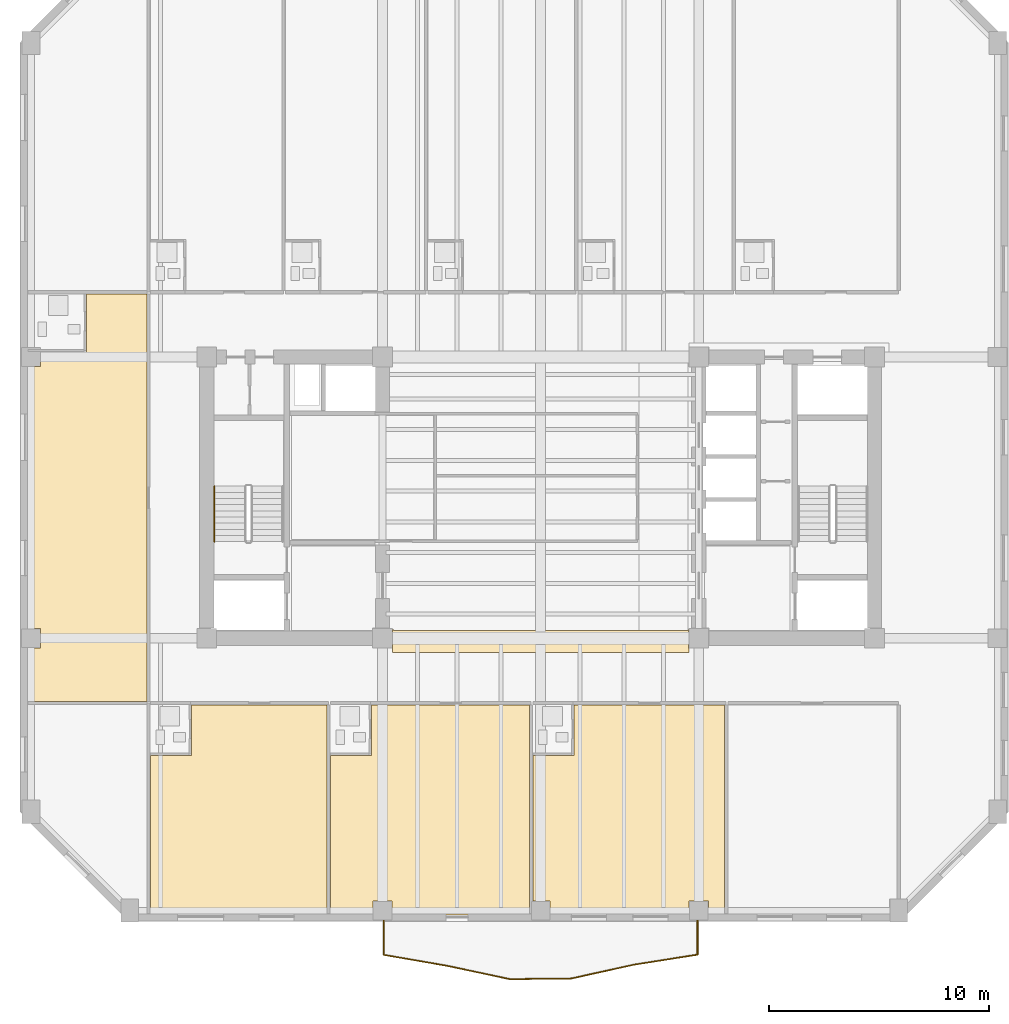
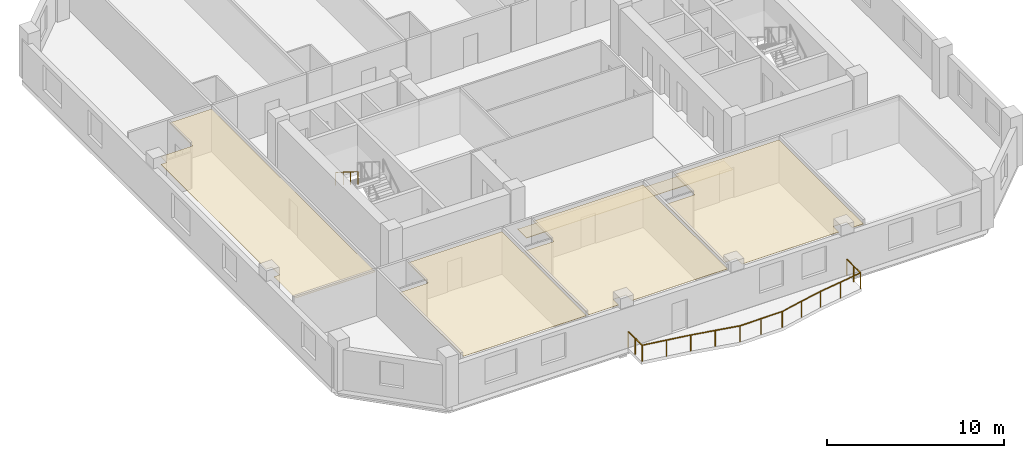
# One storey, part 7 of 10: 5 coverings, 2 railings.
"""IFC4 building model written with IfcOpenShell, lengths in metres."""

from ifc_helpers import new_model, si_unit, direction, frame, origin, origin_2d, place, context, subcontext, project, spatial, polyline, circle, outline, extrude, material, layer, layer_set, type_object, element, save


model = new_model("IFC4")

# Units and contexts
model_context = context("Model", 3, precision=1e-05, world=origin(), true_north=direction((0.0, 1.0)))
body_context = subcontext(model_context, "Body", "Model", "MODEL_VIEW")
ifc_project = project(units=[si_unit("LENGTHUNIT", "METRE"), si_unit("AREAUNIT", "SQUARE_METRE"), si_unit("VOLUMEUNIT", "CUBIC_METRE"), si_unit("PLANEANGLEUNIT", "RADIAN"), si_unit("MASSUNIT", "GRAM", prefix="KILO")], contexts=[model_context])

# Site, building, storey
site_placement = place(None, origin())
site = spatial("IfcSite", under=ifc_project, at=site_placement, CompositionType="ELEMENT")
building_placement = place(site_placement, origin())
building = spatial("IfcBuilding", under=site, at=building_placement, Name="Kranthara Brick Stack", CompositionType="ELEMENT")
storey_placement = place(building_placement, frame((0.0, 0.0, 186.800048828125)))
storey = spatial("IfcBuildingStorey", under=building, at=storey_placement, Name="L48", CompositionType="ELEMENT", Elevation=186.800048828125)

# Coverings
ifc_material_1 = material(Name="Perforated mineral-fibre acoustic ceiling tile", Category="other")
ifc_layer_1 = layer(ifc_material_1, 0.02490234375)
ifc_layer_set_1 = layer_set([ifc_layer_1], Name="Perforated mineral-fibre acoustic ceiling tile")
covering_type_1 = type_object("IfcCoveringType", Name="COV-CEIL-ACOUSTIC", PredefinedType="CEILING", material=ifc_layer_set_1)
covering_1_placement = place(storey_placement, frame((0.0, 0.0, 2.929931640625)))
element("IfcCovering", 1, at=covering_1_placement, inside=storey, type_object=covering_type_1, Name="L48 Room L48-01 Corner Junior Suite Acoustic Ceiling", PredefinedType="CEILING", context=body_context, shape_type="SweptSolid", body=[
    extrude(outline(polyline([(10.22998046875, 8.199951171875), (18.26611328125, 8.199951171875), (18.26611328125, 17.77001953125), (12.110107421875, 17.77001953125), (12.110107421875, 15.4599609375), (10.22998046875, 15.4599609375), (10.22998046875, 8.199951171875)])), origin(), (0.0, 0.0, 1.0), 0.02490234375),
])
covering_2_placement = place(storey_placement, frame((0.0, 0.0, 2.929931640625)))
element("IfcCovering", 2, at=covering_2_placement, inside=storey, type_object=covering_type_1, Name="L48 Room L48-02 Corner Junior Suite Acoustic Ceiling", PredefinedType="CEILING", context=body_context, shape_type="SweptSolid", body=[
    extrude(outline(polyline([(18.426025390625, 8.199951171875), (18.426025390625, 15.4599609375), (20.305908203125, 15.4599609375), (20.305908203125, 17.77001953125), (27.486083984375, 17.77001953125), (27.486083984375, 8.199951171875), (21.235107421875, 8.199951171875), (21.235107421875, 8.8349609375), (20.364990234375, 8.8349609375), (20.364990234375, 8.199951171875), (18.426025390625, 8.199951171875)])), origin(), (0.0, 0.0, 1.0), 0.02490234375),
])
covering_3_placement = place(storey_placement, frame((0.0, 0.0, 2.929931640625)))
element("IfcCovering", 3, at=covering_3_placement, inside=storey, type_object=covering_type_1, Name="L48 Room L48-03 Corner Junior Suite Acoustic Ceiling", PredefinedType="CEILING", context=body_context, shape_type="SweptSolid", body=[
    extrude(outline(polyline([(29.52587890625, 15.4599609375), (29.52587890625, 17.77001953125), (36.365966796875, 17.77001953125), (36.365966796875, 8.199951171875), (35.635009765625, 8.199951171875), (35.635009765625, 8.8349609375), (34.764892578125, 8.8349609375), (34.764892578125, 8.199951171875), (28.43505859375, 8.199951171875), (28.43505859375, 8.8349609375), (27.64599609375, 8.8349609375), (27.64599609375, 15.4599609375), (29.52587890625, 15.4599609375)])), origin(), (0.0, 0.0, 1.0), 0.02490234375),
])
covering_4_placement = place(storey_placement, frame((0.0, 0.0, 2.929931640625)))
element("IfcCovering", 4, at=covering_4_placement, inside=storey, type_object=covering_type_1, Name="L48 Room L48-10 Corner Junior Suite Acoustic Ceiling", PredefinedType="CEILING", context=body_context, shape_type="SweptSolid", body=[
    extrude(outline(polyline([(7.330078125, 33.840087890625), (7.330078125, 36.469970703125), (10.080078125, 36.469970703125), (10.080078125, 17.929931640625), (4.8701171875, 17.929931640625), (4.8701171875, 20.364990234375), (5.235107421875, 20.364990234375), (5.235107421875, 21.235107421875), (4.8701171875, 21.235107421875), (4.8701171875, 33.1650390625), (5.235107421875, 33.1650390625), (5.235107421875, 33.840087890625), (7.330078125, 33.840087890625)])), origin(), (0.0, 0.0, 1.0), 0.02490234375),
])
ifc_material_2 = material(Name="Honed terrazzo and porcelain floor finish", Category="stone")
ifc_layer_2 = layer(ifc_material_2, 0.030029296875)
ifc_layer_set_2 = layer_set([ifc_layer_2], Name="Honed terrazzo and porcelain floor finish")
covering_type_2 = type_object("IfcCoveringType", Name="COV-FLOR-STONE", PredefinedType="FLOORING", material=ifc_layer_set_2)
covering_5_placement = place(storey_placement, origin())
element("IfcCovering", 5, at=covering_5_placement, inside=storey, type_object=covering_type_2, Name="L48 Lift Lobby Stone Flooring", PredefinedType="FLOORING", context=body_context, shape_type="SweptSolid", body=[
    extrude(outline(polyline([(21.25, 20.340087890625), (21.260009765625, 20.340087890625), (21.260009765625, 21.199951171875), (21.300048828125, 21.199951171875), (21.300048828125, 21.14990234375), (32.47998046875, 21.14990234375), (34.699951171875, 21.14990234375), (34.699951171875, 21.199951171875), (34.739990234375, 21.199951171875), (34.739990234375, 20.340087890625), (34.75, 20.340087890625), (34.75, 20.14990234375), (21.25, 20.14990234375), (21.25, 20.340087890625)])), origin(), (0.0, 0.0, 1.0), 0.030029296875),
])

# Railings
ifc_material_3 = material(Name="Bronze anodised aluminium and laminated glass balustrade", Category="aluminium")
railing_type_1 = type_object("IfcRailingType", Name="RL-BALC-1120", PredefinedType="BALUSTRADE", material=ifc_material_3)
railing_1_placement = place(storey_placement, frame((35.139892578125, 7.9599609375, 0.0)))
element("IfcRailing", 6, at=railing_1_placement, inside=storey, type_object=railing_type_1, Name="L48 South Rippling Balcony Balustrade", PredefinedType="BALUSTRADE", context=body_context, shape_type="SweptSolid", body=[
    extrude(circle(Radius=0.02392578125, at=origin_2d()), frame((0.0, 0.0, 1.09619140625), z_axis=(0.0, -1.0, 0.0), x_axis=(1.0, 0.0, 0.0)), (0.0, 0.0, 1.0), 1.564697265625),
    extrude(circle(Radius=0.02392578125, at=origin_2d()), frame((0.0, -1.564697265625, 1.09619140625), z_axis=(-0.987780613501, -0.155850760638, 0.0), x_axis=(0.155850760638, -0.987780613501, 0.0)), (0.0, 0.0, 1.0), 2.915283203125),
    extrude(circle(Radius=0.02392578125, at=origin_2d()), frame((-2.879638671875, -2.01904296875, 1.09619140625), z_axis=(-0.976636790391, -0.214896672043, 0.0), x_axis=(0.214896672043, -0.976636790391, 0.0)), (0.0, 0.0, 1.0), 2.936767578125),
    extrude(circle(Radius=0.02392578125, at=origin_2d()), frame((-5.747802734375, -2.650146484375, 1.09619140625), z_axis=(-0.999939953987, -0.010958486257, 0.0), x_axis=(0.010958486257, -0.999939953987, 0.0)), (0.0, 0.0, 1.0), 2.784912109375),
    extrude(circle(Radius=0.02392578125, at=origin_2d()), frame((-8.532470703125, -2.6806640625, 1.09619140625), z_axis=(-0.978213631251, 0.207600798732, 0.0), x_axis=(-0.207600798732, -0.978213631251, 0.0)), (0.0, 0.0, 1.0), 2.931884765625),
    extrude(circle(Radius=0.02392578125, at=origin_2d()), frame((-11.400390625, -2.072021484375, 1.09619140625), z_axis=(-0.985354285481, 0.170519594427, 0.0), x_axis=(-0.170519594427, -0.985354285481, 0.0)), (0.0, 0.0, 1.0), 2.922119140625),
    extrude(circle(Radius=0.02392578125, at=origin_2d()), frame((-14.27978515625, -1.57373046875, 1.09619140625), z_axis=(0.0, 1.0, 0.0), x_axis=(-1.0, 0.0, 0.0)), (0.0, 0.0, 1.0), 1.57373046875),
    extrude(circle(Radius=0.02099609375, at=origin_2d()), origin(), (0.0, 0.0, 1.0), 1.072021484375),
    extrude(circle(Radius=0.02099609375, at=origin_2d()), frame((0.0, -0.7822265625, 0.0)), (0.0, 0.0, 1.0), 1.072021484375),
    extrude(circle(Radius=0.02099609375, at=origin_2d()), frame((0.0, -1.564697265625, 0.0)), (0.0, 0.0, 1.0), 1.072021484375),
    extrude(circle(Radius=0.02099609375, at=origin_2d()), frame((-1.43994140625, -1.7919921875, 0.0)), (0.0, 0.0, 1.0), 1.072021484375),
    extrude(circle(Radius=0.02099609375, at=origin_2d()), frame((-2.879638671875, -2.01904296875, 0.0)), (0.0, 0.0, 1.0), 1.072021484375),
    extrude(circle(Radius=0.02099609375, at=origin_2d()), frame((-4.313720703125, -2.33447265625, 0.0)), (0.0, 0.0, 1.0), 1.072021484375),
    extrude(circle(Radius=0.02099609375, at=origin_2d()), frame((-5.747802734375, -2.650146484375, 0.0)), (0.0, 0.0, 1.0), 1.072021484375),
    extrude(circle(Radius=0.02099609375, at=origin_2d()), frame((-7.14013671875, -2.66552734375, 0.0)), (0.0, 0.0, 1.0), 1.072021484375),
    extrude(circle(Radius=0.02099609375, at=origin_2d()), frame((-8.532470703125, -2.6806640625, 0.0)), (0.0, 0.0, 1.0), 1.072021484375),
    extrude(circle(Radius=0.02099609375, at=origin_2d()), frame((-9.96630859375, -2.37646484375, 0.0)), (0.0, 0.0, 1.0), 1.072021484375),
    extrude(circle(Radius=0.02099609375, at=origin_2d()), frame((-11.400390625, -2.072021484375, 0.0)), (0.0, 0.0, 1.0), 1.072021484375),
    extrude(circle(Radius=0.02099609375, at=origin_2d()), frame((-12.840087890625, -1.82275390625, 0.0)), (0.0, 0.0, 1.0), 1.072021484375),
    extrude(circle(Radius=0.02099609375, at=origin_2d()), frame((-14.27978515625, -1.57373046875, 0.0)), (0.0, 0.0, 1.0), 1.072021484375),
    extrude(circle(Radius=0.02099609375, at=origin_2d()), frame((-14.27978515625, -0.786865234375, 0.0)), (0.0, 0.0, 1.0), 1.072021484375),
    extrude(circle(Radius=0.02099609375, at=origin_2d()), frame((-14.27978515625, 0.0, 0.0)), (0.0, 0.0, 1.0), 1.072021484375),
])
ifc_material_4 = material(Name="Brushed stainless steel tubular handrail", Category="steel")
railing_type_2 = type_object("IfcRailingType", Name="RL-STAIR-HAND-900", PredefinedType="HANDRAIL", material=ifc_material_4)
railing_2_placement = place(storey_placement, frame((13.14990234375, 27.719970703125, 1.925048828125)))
element("IfcRailing", 7, at=railing_2_placement, inside=storey, type_object=railing_type_2, Name="L48 ST01 stair handrail 2", PredefinedType="HANDRAIL", context=body_context, shape_type="SweptSolid", body=[
    extrude(circle(Radius=0.02392578125, at=origin_2d()), frame((0.0, 0.0, 0.8759765625), z_axis=(0.0, -0.848007534815, 0.529984170421), x_axis=(1.0, 0.0, 0.0)), (0.0, 0.0, 1.0), 2.9716796875),
    extrude(circle(Radius=0.02099609375, at=origin_2d()), origin(), (0.0, 0.0, 1.0), 0.851806640625),
    extrude(circle(Radius=0.02099609375, at=origin_2d()), frame((0.0, -0.840087890625, 0.52490234375)), (0.0, 0.0, 1.0), 0.851806640625),
    extrude(circle(Radius=0.02099609375, at=origin_2d()), frame((0.0, -1.679931640625, 1.050048828125)), (0.0, 0.0, 1.0), 0.851806640625),
    extrude(circle(Radius=0.02099609375, at=origin_2d()), frame((0.0, -2.52001953125, 1.574951171875)), (0.0, 0.0, 1.0), 0.851806640625),
])

save(model, "model.ifc")
